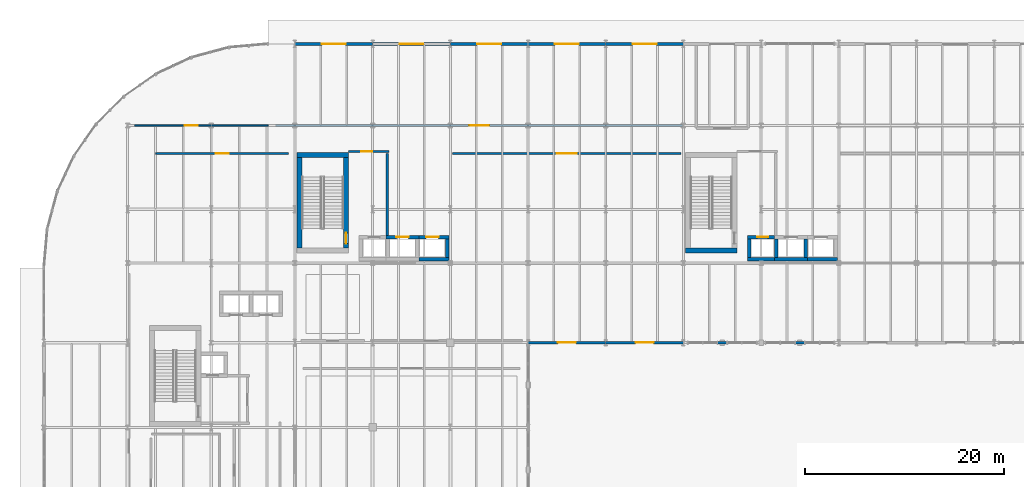
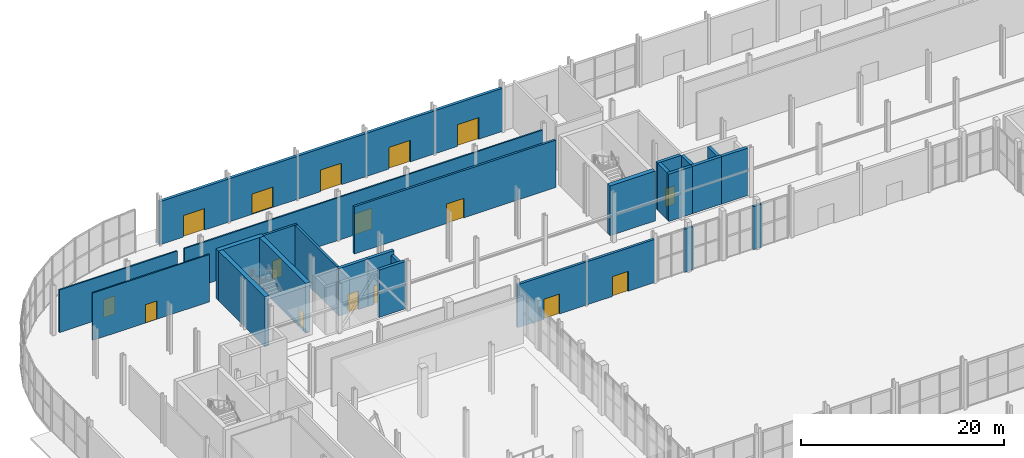
# One storey, part 59 of 84: 30 walls, 16 doors, 16 openings.
"""IFC4 building model written with IfcOpenShell, lengths in metres."""

from ifc_helpers import new_model, si_unit, direction, frame, frame_2d, origin, place, context, subcontext, project, spatial, rectangle, extrude, material, layer, layer_set, type_object, element, fill, save


model = new_model("IFC4")

# Units and contexts
model_context = context("Model", 3, precision=1e-05, world=origin(), true_north=direction((0.0, 1.0)))
body_context = subcontext(model_context, "Body", "Model", "MODEL_VIEW")
ifc_project = project(units=[si_unit("LENGTHUNIT", "METRE"), si_unit("AREAUNIT", "SQUARE_METRE"), si_unit("VOLUMEUNIT", "CUBIC_METRE"), si_unit("PLANEANGLEUNIT", "RADIAN"), si_unit("MASSUNIT", "GRAM", prefix="KILO")], contexts=[model_context])

# Site, building, storey
site_placement = place(None, origin())
site = spatial("IfcSite", under=ifc_project, at=site_placement, CompositionType="ELEMENT")
building_placement = place(site_placement, origin())
building = spatial("IfcBuilding", under=site, at=building_placement, Name="Sefraquen Railside Congress Hotel", CompositionType="ELEMENT")
storey_placement = place(building_placement, origin())
storey = spatial("IfcBuildingStorey", under=building, at=storey_placement, Name="L00", CompositionType="ELEMENT", Elevation=0.0)

# Wall, opening, door
ifc_material_1 = material(Name="Concrete C50/60", Category="concrete")
ifc_layer_1 = layer(ifc_material_1, 0.35009765625)
ifc_layer_set_1 = layer_set([ifc_layer_1], Name="Concrete C50/60")
wall_type_1 = type_object("IfcWallType", Name="TW-CW-350", PredefinedType="SHEAR", material=ifc_layer_set_1)
wall_1_placement = place(storey_placement, frame((70.639892578125, 98.594970703125, 0.0), z_axis=(0.0, 0.0, 1.0), x_axis=(1.0, 0.0, 0.0)))
wall_1 = element("IfcWall", 1, at=wall_1_placement, inside=storey, type_object=wall_type_1, Name="Lift FL-03 shaft wall N L00", PredefinedType="SHEAR", context=body_context, shape_type="SweptSolid", body=[
    extrude(rectangle(XDim=2.690185546875, YDim=0.35009765625, at=frame_2d((1.34521484375, 0.0))), origin(), (0.0, 0.0, 1.0), 5.699951171875),
])
opening_1_placement = place(wall_1_placement, frame((0.969970703125, 0.0, 0.0)))
opening_1 = element("IfcOpeningElement", 2, at=opening_1_placement, cuts=wall_1, Name="Opening LD-01", PredefinedType="OPENING", context=body_context, shape_type="SweptSolid", body=[
    extrude(rectangle(XDim=1.10009765625, YDim=2.199951171875, at=frame_2d((0.550048828125, 1.10009765625))), frame((0.0, 0.18505859375, 0.0), z_axis=(0.0, -1.0, 0.0), x_axis=(1.0, 0.0, 0.0)), (0.0, 0.0, 1.0), 0.3701171875),
])
ifc_material_2 = material(Name="Brushed bronze stainless steel", Category="steel")
door_type_1 = type_object("IfcDoorType", Name="TD-LD-01", OperationType="NOTDEFINED", PredefinedType="DOOR", material=ifc_material_2)
door_1_placement = place(opening_1_placement, origin())
door_1 = element("IfcDoor", 3, at=door_1_placement, inside=storey, type_object=door_type_1, Name="Lift landing door FL-03 L00", OperationType="SLIDING_TO_LEFT", OverallHeight=2.199951171875, OverallWidth=1.10009765625, PredefinedType="DOOR", context=body_context, shape_type="SweptSolid", body=[
    extrude(rectangle(XDim=1.10009765625, YDim=2.199951171875, at=frame_2d((0.550048828125, 1.10009765625))), frame((0.0, 0.02490234375, 0.0), z_axis=(0.0, -1.0, 0.0), x_axis=(1.0, 0.0, 0.0)), (0.0, 0.0, 1.0), 0.050048828125),
])
fill(opening_1, door_1)

# Walls
wall_2_placement = place(storey_placement, frame((70.639892578125, 96.405029296875, 0.0), z_axis=(0.0, 0.0, 1.0), x_axis=(1.0, 0.0, 0.0)))
element("IfcWall", 4, at=wall_2_placement, inside=storey, type_object=wall_type_1, Name="Lift FL-03 shaft wall S L00", PredefinedType="SHEAR", context=body_context, shape_type="SweptSolid", body=[
    extrude(rectangle(XDim=2.690185546875, YDim=0.35009765625, at=frame_2d((1.34521484375, 0.0))), origin(), (0.0, 0.0, 1.0), 5.699951171875),
])
wall_3_placement = place(storey_placement, frame((70.81494140625, 96.580078125, 0.0), z_axis=(0.0, 0.0, 1.0), x_axis=(0.0, 1.0, 0.0)))
element("IfcWall", 5, at=wall_3_placement, inside=storey, type_object=wall_type_1, Name="Lift FL-03 shaft wall W L00", PredefinedType="SHEAR", context=body_context, shape_type="SweptSolid", body=[
    extrude(rectangle(XDim=1.83984375, YDim=0.35009765625, at=frame_2d((0.919921875, 0.0))), origin(), (0.0, 0.0, 1.0), 5.699951171875),
])

# Wall, opening, door
wall_4_placement = place(storey_placement, frame((34.330078125, 98.594970703125, 0.0), z_axis=(0.0, 0.0, 1.0), x_axis=(1.0, 0.0, 0.0)))
wall_4 = element("IfcWall", 6, at=wall_4_placement, inside=storey, type_object=wall_type_1, Name="Lift PL-03 shaft wall N L00", PredefinedType="SHEAR", context=body_context, shape_type="SweptSolid", body=[
    extrude(rectangle(XDim=3.33984375, YDim=0.35009765625, at=frame_2d((1.669921875, 0.0))), origin(), (0.0, 0.0, 1.0), 5.699951171875),
])
opening_2_placement = place(wall_4_placement, frame((1.044921875, 0.0, 0.0)))
opening_2 = element("IfcOpeningElement", 7, at=opening_2_placement, cuts=wall_4, Name="Opening LD-02", PredefinedType="OPENING", context=body_context, shape_type="SweptSolid", body=[
    extrude(rectangle(XDim=1.25, YDim=2.25, at=frame_2d((0.625, 1.125))), frame((0.0, 0.18505859375, 0.0), z_axis=(0.0, -1.0, 0.0), x_axis=(1.0, 0.0, 0.0)), (0.0, 0.0, 1.0), 0.3701171875),
])
ifc_material_3 = material(Name="Brushed stainless steel", Category="steel")
door_type_2 = type_object("IfcDoorType", Name="TD-LD-02", OperationType="NOTDEFINED", PredefinedType="DOOR", material=ifc_material_3)
door_2_placement = place(opening_2_placement, origin())
door_2 = element("IfcDoor", 8, at=door_2_placement, inside=storey, type_object=door_type_2, Name="Lift landing door PL-03 L00", OperationType="SLIDING_TO_LEFT", OverallHeight=2.25, OverallWidth=1.25, PredefinedType="DOOR", context=body_context, shape_type="SweptSolid", body=[
    extrude(rectangle(XDim=1.25, YDim=2.25, at=frame_2d((0.625, 1.125))), frame((0.0, 0.02490234375, 0.0), z_axis=(0.0, -1.0, 0.0), x_axis=(1.0, 0.0, 0.0)), (0.0, 0.0, 1.0), 0.050048828125),
])
fill(opening_2, door_2)

wall_5_placement = place(storey_placement, frame((37.669921875, 98.594970703125, 0.0), z_axis=(0.0, 0.0, 1.0), x_axis=(1.0, 0.0, 0.0)))
wall_5 = element("IfcWall", 9, at=wall_5_placement, inside=storey, type_object=wall_type_1, Name="Lift PL-04 shaft wall N L00", PredefinedType="SHEAR", context=body_context, shape_type="SweptSolid", body=[
    extrude(rectangle(XDim=2.989990234375, YDim=0.35009765625, at=frame_2d((1.4951171875, 0.0))), origin(), (0.0, 0.0, 1.0), 5.699951171875),
])
opening_3_placement = place(wall_5_placement, frame((0.695068359375, 0.0, 0.0)))
opening_3 = element("IfcOpeningElement", 10, at=opening_3_placement, cuts=wall_5, Name="Opening LD-02", PredefinedType="OPENING", context=body_context, shape_type="SweptSolid", body=[
    extrude(rectangle(XDim=1.25, YDim=2.25, at=frame_2d((0.625, 1.125))), frame((0.0, 0.18505859375, 0.0), z_axis=(0.0, -1.0, 0.0), x_axis=(1.0, 0.0, 0.0)), (0.0, 0.0, 1.0), 0.3701171875),
])
door_3_placement = place(opening_3_placement, origin())
door_3 = element("IfcDoor", 11, at=door_3_placement, inside=storey, type_object=door_type_2, Name="Lift landing door PL-04 L00", OperationType="SLIDING_TO_LEFT", OverallHeight=2.25, OverallWidth=1.25, PredefinedType="DOOR", context=body_context, shape_type="SweptSolid", body=[
    extrude(rectangle(XDim=1.25, YDim=2.25, at=frame_2d((0.625, 1.125))), frame((0.0, 0.02490234375, 0.0), z_axis=(0.0, -1.0, 0.0), x_axis=(1.0, 0.0, 0.0)), (0.0, 0.0, 1.0), 0.050048828125),
])
fill(opening_3, door_3)

# Walls
wall_6_placement = place(storey_placement, frame((37.669921875, 96.405029296875, 0.0), z_axis=(0.0, 0.0, 1.0), x_axis=(1.0, 0.0, 0.0)))
element("IfcWall", 12, at=wall_6_placement, inside=storey, type_object=wall_type_1, Name="Lift PL-04 shaft wall S L00", PredefinedType="SHEAR", context=body_context, shape_type="SweptSolid", body=[
    extrude(rectangle(XDim=2.989990234375, YDim=0.35009765625, at=frame_2d((1.4951171875, 0.0))), origin(), (0.0, 0.0, 1.0), 5.699951171875),
])
wall_7_placement = place(storey_placement, frame((40.485107421875, 96.580078125, 0.0), z_axis=(0.0, 0.0, 1.0), x_axis=(0.0, 1.0, 0.0)))
element("IfcWall", 13, at=wall_7_placement, inside=storey, type_object=wall_type_1, Name="Lift PL-04 shaft wall E L00", PredefinedType="SHEAR", context=body_context, shape_type="SweptSolid", body=[
    extrude(rectangle(XDim=1.83984375, YDim=0.35009765625, at=frame_2d((0.919921875, 0.0))), origin(), (0.0, 0.0, 1.0), 5.239990234375),
])
wall_8_placement = place(storey_placement, frame((73.330078125, 96.405029296875, 0.0), z_axis=(0.0, 0.0, 1.0), x_axis=(1.0, 0.0, 0.0)))
element("IfcWall", 14, at=wall_8_placement, inside=storey, type_object=wall_type_1, Name="Lift PL-05 shaft wall S L00", PredefinedType="SHEAR", context=body_context, shape_type="SweptSolid", body=[
    extrude(rectangle(XDim=3.33984375, YDim=0.35009765625, at=frame_2d((1.669921875, 0.0))), origin(), (0.0, 0.0, 1.0), 5.699951171875),
])
for number, where, z_axis, x_axis, name in (
    (15, (73.5048828125, 96.580078125, 0.0), (0.0, 0.0, 1.0), (0.0, 1.0, 0.0), "Lift PL-05 shaft wall W L00"),
    (16, (76.4951171875, 96.580078125, 0.0), (0.0, 0.0, 1.0), (0.0, 1.0, 0.0), "Lift PL-05 shaft wall E L00"),
):
    element("IfcWall", number, at=place(storey_placement, frame(where, z_axis=z_axis, x_axis=x_axis)), inside=storey, type_object=wall_type_1, Name=name, PredefinedType="SHEAR", context=body_context, shape_type="SweptSolid", body=[
        extrude(rectangle(XDim=1.83984375, YDim=0.35009765625, at=frame_2d((0.919921875, 0.0))), origin(), (0.0, 0.0, 1.0), 5.699951171875),
    ])
wall_9_placement = place(storey_placement, frame((76.669921875, 96.405029296875, 0.0), z_axis=(0.0, 0.0, 1.0), x_axis=(1.0, 0.0, 0.0)))
element("IfcWall", 17, at=wall_9_placement, inside=storey, type_object=wall_type_1, Name="Lift PL-06 shaft wall S L00", PredefinedType="SHEAR", context=body_context, shape_type="SweptSolid", body=[
    extrude(rectangle(XDim=2.989990234375, YDim=0.35009765625, at=frame_2d((1.4951171875, 0.0))), origin(), (0.0, 0.0, 1.0), 5.699951171875),
])
ifc_layer_2 = layer(ifc_material_1, 0.5)
ifc_layer_set_2 = layer_set([ifc_layer_2], Name="Concrete C50/60")
wall_type_2 = type_object("IfcWallType", Name="TW-CW-500", PredefinedType="SHEAR", material=ifc_layer_set_2)
wall_10_placement = place(storey_placement, frame((25.39990234375, 106.862060546875, 0.0), z_axis=(0.0, 0.0, 1.0), x_axis=(1.0, 0.0, 0.0)))
element("IfcWall", 18, at=wall_10_placement, inside=storey, type_object=wall_type_2, Name="Core shear wall ST-H02 N L00", PredefinedType="SHEAR", context=body_context, shape_type="SweptSolid", body=[
    extrude(rectangle(XDim=5.16015625, YDim=0.5, at=frame_2d((2.580078125, 0.0))), origin(), (0.0, 0.0, 1.0), 6.0),
])
wall_11_placement = place(storey_placement, frame((25.64990234375, 97.5, 0.0), z_axis=(0.0, 0.0, 1.0), x_axis=(0.0, 1.0, 0.0)))
element("IfcWall", 19, at=wall_11_placement, inside=storey, type_object=wall_type_2, Name="Core shear wall ST-H02 W L00", PredefinedType="SHEAR", context=body_context, shape_type="SweptSolid", body=[
    extrude(rectangle(XDim=9.112060546875, YDim=0.5, at=frame_2d((4.55615234375, 0.0))), origin(), (0.0, 0.0, 1.0), 6.0),
])

# Wall, opening, door
wall_12_placement = place(storey_placement, frame((30.31005859375, 97.5, 0.0), z_axis=(0.0, 0.0, 1.0), x_axis=(0.0, 1.0, 0.0)))
wall_12 = element("IfcWall", 20, at=wall_12_placement, inside=storey, type_object=wall_type_2, Name="Core shear wall ST-H02 E L00", PredefinedType="SHEAR", context=body_context, shape_type="SweptSolid", body=[
    extrude(rectangle(XDim=9.112060546875, YDim=0.5, at=frame_2d((4.55615234375, 0.0))), origin(), (0.0, 0.0, 1.0), 6.0),
])
opening_4_placement = place(wall_12_placement, frame((0.43994140625, 0.0, 0.0)))
opening_4 = element("IfcOpeningElement", 21, at=opening_4_placement, cuts=wall_12, Name="Opening FD-04", PredefinedType="OPENING", context=body_context, shape_type="SweptSolid", body=[
    extrude(rectangle(XDim=1.10009765625, YDim=2.199951171875, at=frame_2d((0.550048828125, 1.10009765625))), frame((0.0, 0.260009765625, 0.0), z_axis=(0.0, -1.0, 0.0), x_axis=(1.0, 0.0, 0.0)), (0.0, 0.0, 1.0), 0.52001953125),
])
ifc_material_4 = material(Name="Fire-rated steel", Category="steel")
door_type_3 = type_object("IfcDoorType", Name="TD-FD-04", OperationType="NOTDEFINED", PredefinedType="DOOR", material=ifc_material_4)
door_4_placement = place(opening_4_placement, origin())
door_4 = element("IfcDoor", 22, at=door_4_placement, inside=storey, type_object=door_type_3, Name="Pressurized stair ST-H02 fire door L00", OperationType="SINGLE_SWING_RIGHT", OverallHeight=2.199951171875, OverallWidth=1.10009765625, PredefinedType="DOOR", context=body_context, shape_type="SweptSolid", body=[
    extrude(rectangle(XDim=1.10009765625, YDim=2.199951171875, at=frame_2d((0.550048828125, 1.10009765625))), frame((0.0, 0.02490234375, 0.0), z_axis=(0.0, -1.0, 0.0), x_axis=(1.0, 0.0, 0.0)), (0.0, 0.0, 1.0), 0.050048828125),
])
fill(opening_4, door_4)

# Wall
wall_13_placement = place(storey_placement, frame((64.39990234375, 97.25, 0.0), z_axis=(0.0, 0.0, 1.0), x_axis=(1.0, 0.0, 0.0)))
element("IfcWall", 23, at=wall_13_placement, inside=storey, type_object=wall_type_2, Name="Core shear wall ST-H03 S L00", PredefinedType="SHEAR", context=body_context, shape_type="SweptSolid", body=[
    extrude(rectangle(XDim=5.16015625, YDim=0.5, at=frame_2d((2.580078125, 0.0))), origin(), (0.0, 0.0, 1.0), 6.0),
])

# Wall, opening, door
ifc_material_5 = material(Name="Ochre Rabat calcarenite limestone and Concrete C40/50 backing", Category="masonry")
ifc_layer_3 = layer(ifc_material_5, 0.280029296875)
ifc_layer_set_3 = layer_set([ifc_layer_3], Name="Ochre Rabat calcarenite limestone and Concrete C40/50 backing")
wall_type_3 = type_object("IfcWallType", Name="TW-EW-280", PredefinedType="STANDARD", material=ifc_layer_set_3)
wall_14_placement = place(storey_placement, frame((48.60009765625, 88.0, 0.0), z_axis=(0.0, 0.0, 1.0), x_axis=(1.0, 0.0, 0.0)))
wall_14 = element("IfcWall", 24, at=wall_14_placement, inside=storey, type_object=wall_type_3, Name="Courtyard north portal wall 48", PredefinedType="STANDARD", context=body_context, shape_type="SweptSolid", body=[
    extrude(rectangle(XDim=7.7998046875, YDim=0.280029296875, at=frame_2d((3.89990234375, 0.0))), origin(), (0.0, 0.0, 1.0), 5.18994140625),
])
opening_5_placement = place(wall_14_placement, frame((3.0, 0.0, 0.0)))
opening_5 = element("IfcOpeningElement", 25, at=opening_5_placement, cuts=wall_14, Name="Opening ED-07", PredefinedType="OPENING", context=body_context, shape_type="SweptSolid", body=[
    extrude(rectangle(XDim=1.800048828125, YDim=2.39990234375, at=frame_2d((0.89990234375, 1.199951171875))), frame((0.0, 0.14990234375, 0.0), z_axis=(0.0, -1.0, 0.0), x_axis=(1.0, 0.0, 0.0)), (0.0, 0.0, 1.0), 0.300048828125),
])
ifc_material_6 = material(Name="Bronze and low-E fire-rated glass", Category="glass")
door_type_4 = type_object("IfcDoorType", Name="TD-ED-07", OperationType="NOTDEFINED", PredefinedType="DOOR", material=ifc_material_6)
door_5_placement = place(opening_5_placement, frame((1.800048828125, 0.0, 0.0), z_axis=(0.0, 0.0, 1.0), x_axis=(-1.0, 0.0, 0.0)))
door_5 = element("IfcDoor", 26, at=door_5_placement, inside=storey, type_object=door_type_4, Name="Courtyard garden exit door 18", OperationType="DOUBLE_SWING_LEFT", OverallHeight=2.39990234375, OverallWidth=1.800048828125, PredefinedType="DOOR", context=body_context, shape_type="SweptSolid", body=[
    extrude(rectangle(XDim=1.800048828125, YDim=2.39990234375, at=frame_2d((0.89990234375, 1.199951171875))), frame((0.0, 0.02490234375, 0.0), z_axis=(0.0, -1.0, 0.0), x_axis=(1.0, 0.0, 0.0)), (0.0, 0.0, 1.0), 0.050048828125),
])
fill(opening_5, door_5)

wall_15_placement = place(storey_placement, frame((56.39990234375, 88.0, 0.0), z_axis=(0.0, 0.0, 1.0), x_axis=(1.0, 0.0, 0.0)))
wall_15 = element("IfcWall", 27, at=wall_15_placement, inside=storey, type_object=wall_type_3, Name="Courtyard north portal wall 56", PredefinedType="STANDARD", context=body_context, shape_type="SweptSolid", body=[
    extrude(rectangle(XDim=7.800048828125, YDim=0.280029296875, at=frame_2d((3.89990234375, 0.0))), origin(), (0.0, 0.0, 1.0), 5.18994140625),
])
opening_6_placement = place(wall_15_placement, frame((3.0, 0.0, 0.0)))
opening_6 = element("IfcOpeningElement", 28, at=opening_6_placement, cuts=wall_15, Name="Opening ED-07", PredefinedType="OPENING", context=body_context, shape_type="SweptSolid", body=[
    extrude(rectangle(XDim=1.800048828125, YDim=2.39990234375, at=frame_2d((0.89990234375, 1.199951171875))), frame((0.0, 0.14990234375, 0.0), z_axis=(0.0, -1.0, 0.0), x_axis=(1.0, 0.0, 0.0)), (0.0, 0.0, 1.0), 0.300048828125),
])
door_6_placement = place(opening_6_placement, frame((1.800048828125, 0.0, 0.0), z_axis=(0.0, 0.0, 1.0), x_axis=(-1.0, 0.0, 0.0)))
door_6 = element("IfcDoor", 29, at=door_6_placement, inside=storey, type_object=door_type_4, Name="Courtyard garden exit door 19", OperationType="DOUBLE_SWING_LEFT", OverallHeight=2.39990234375, OverallWidth=1.800048828125, PredefinedType="DOOR", context=body_context, shape_type="SweptSolid", body=[
    extrude(rectangle(XDim=1.800048828125, YDim=2.39990234375, at=frame_2d((0.89990234375, 1.199951171875))), frame((0.0, 0.02490234375, 0.0), z_axis=(0.0, -1.0, 0.0), x_axis=(1.0, 0.0, 0.0)), (0.0, 0.0, 1.0), 0.050048828125),
])
fill(opening_6, door_6)

# Walls
for number, where, z_axis, x_axis, name in (
    (30, (67.6201171875, 88.0, 0.0), (0.0, 0.0, 1.0), (1.0, 0.0, 0.0), "Courtyard north arcade curtain wall UCW-12 column pier closure 1"),
    (31, (75.419921875, 88.0, 0.0), (0.0, 0.0, 1.0), (1.0, 0.0, 0.0), "Courtyard north arcade curtain wall UCW-13 column pier closure 1"),
):
    element("IfcWall", number, at=place(storey_placement, frame(where, z_axis=z_axis, x_axis=x_axis)), inside=storey, type_object=wall_type_3, Name=name, PredefinedType="STANDARD", context=body_context, shape_type="SweptSolid", body=[
        extrude(rectangle(XDim=0.9599609375, YDim=0.260009765625, at=frame_2d((0.47998046875, 0.0))), origin(), (0.0, 0.0, 1.0), 5.18994140625),
    ])

# Wall, opening, door
ifc_layer_4 = layer(ifc_material_5, 0.320068359375)
ifc_layer_set_4 = layer_set([ifc_layer_4], Name="Ochre Rabat calcarenite limestone and Concrete C40/50 backing")
wall_type_4 = type_object("IfcWallType", Name="TW-EW-320", PredefinedType="STANDARD", material=ifc_layer_set_4)
wall_16_placement = place(storey_placement, frame((25.199951171875, 118.0, 0.0), z_axis=(0.0, 0.0, 1.0), x_axis=(1.0, 0.0, 0.0)))
wall_16 = element("IfcWall", 32, at=wall_16_placement, inside=storey, type_object=wall_type_4, Name="Hotel Boulevard entrance portal wall 1", PredefinedType="STANDARD", context=body_context, shape_type="SweptSolid", body=[
    extrude(rectangle(XDim=7.800048828125, YDim=0.320068359375, at=frame_2d((3.89990234375, 0.0))), origin(), (0.0, 0.0, 1.0), 5.18994140625),
])
opening_7_placement = place(wall_16_placement, frame((2.699951171875, 0.0, 0.0)))
opening_7 = element("IfcOpeningElement", 33, at=opening_7_placement, cuts=wall_16, Name="Opening ED-01", PredefinedType="OPENING", context=body_context, shape_type="SweptSolid", body=[
    extrude(rectangle(XDim=2.39990234375, YDim=2.60009765625, at=frame_2d((1.199951171875, 1.300048828125))), frame((0.0, 0.169921875, 0.0), z_axis=(0.0, -1.0, 0.0), x_axis=(1.0, 0.0, 0.0)), (0.0, 0.0, 1.0), 0.340087890625),
])
ifc_material_7 = material(Name="Bronze and fire-rated laminated glass", Category="glass")
door_type_5 = type_object("IfcDoorType", Name="TD-ED-01", OperationType="NOTDEFINED", PredefinedType="DOOR", material=ifc_material_7)
door_7_placement = place(opening_7_placement, origin())
door_7 = element("IfcDoor", 34, at=door_7_placement, inside=storey, type_object=door_type_5, Name="Hotel North Boulevard grand entrance 22", OperationType="DOUBLE_SWING_LEFT", OverallHeight=2.60009765625, OverallWidth=2.39990234375, PredefinedType="DOOR", context=body_context, shape_type="SweptSolid", body=[
    extrude(rectangle(XDim=2.39990234375, YDim=2.60009765625, at=frame_2d((1.199951171875, 1.300048828125))), frame((0.0, 0.02490234375, 0.0), z_axis=(0.0, -1.0, 0.0), x_axis=(1.0, 0.0, 0.0)), (0.0, 0.0, 1.0), 0.050048828125),
])
fill(opening_7, door_7)

wall_17_placement = place(storey_placement, frame((33.0, 118.0, 0.0), z_axis=(0.0, 0.0, 1.0), x_axis=(1.0, 0.0, 0.0)))
wall_17 = element("IfcWall", 35, at=wall_17_placement, inside=storey, type_object=wall_type_4, Name="Hotel Boulevard entrance portal wall 2", PredefinedType="STANDARD", context=body_context, shape_type="SweptSolid", body=[
    extrude(rectangle(XDim=7.800048828125, YDim=0.320068359375, at=frame_2d((3.89990234375, 0.0))), origin(), (0.0, 0.0, 1.0), 5.18994140625),
])
opening_8_placement = place(wall_17_placement, frame((2.699951171875, 0.0, 0.0)))
opening_8 = element("IfcOpeningElement", 36, at=opening_8_placement, cuts=wall_17, Name="Opening ED-02", PredefinedType="OPENING", context=body_context, shape_type="SweptSolid", body=[
    extrude(rectangle(XDim=2.39990234375, YDim=2.449951171875, at=frame_2d((1.199951171875, 1.22509765625))), frame((0.0, 0.169921875, 0.0), z_axis=(0.0, -1.0, 0.0), x_axis=(1.0, 0.0, 0.0)), (0.0, 0.0, 1.0), 0.340087890625),
])
door_type_6 = type_object("IfcDoorType", Name="TD-ED-02", OperationType="NOTDEFINED", PredefinedType="DOOR", material=ifc_material_7)
door_8_placement = place(opening_8_placement, origin())
door_8 = element("IfcDoor", 37, at=door_8_placement, inside=storey, type_object=door_type_6, Name="Hotel North Boulevard grand entrance 23", OperationType="DOUBLE_SWING_LEFT", OverallHeight=2.449951171875, OverallWidth=2.39990234375, PredefinedType="DOOR", context=body_context, shape_type="SweptSolid", body=[
    extrude(rectangle(XDim=2.39990234375, YDim=2.449951171875, at=frame_2d((1.199951171875, 1.22509765625))), frame((0.0, 0.02490234375, 0.0), z_axis=(0.0, -1.0, 0.0), x_axis=(1.0, 0.0, 0.0)), (0.0, 0.0, 1.0), 0.050048828125),
])
fill(opening_8, door_8)

wall_18_placement = place(storey_placement, frame((40.800048828125, 118.0, 0.0), z_axis=(0.0, 0.0, 1.0), x_axis=(1.0, 0.0, 0.0)))
wall_18 = element("IfcWall", 38, at=wall_18_placement, inside=storey, type_object=wall_type_4, Name="Hotel Boulevard entrance portal wall 3", PredefinedType="STANDARD", context=body_context, shape_type="SweptSolid", body=[
    extrude(rectangle(XDim=7.800048828125, YDim=0.320068359375, at=frame_2d((3.89990234375, 0.0))), origin(), (0.0, 0.0, 1.0), 5.18994140625),
])
opening_9_placement = place(wall_18_placement, frame((2.699951171875, 0.0, 0.0)))
opening_9 = element("IfcOpeningElement", 39, at=opening_9_placement, cuts=wall_18, Name="Opening ED-01", PredefinedType="OPENING", context=body_context, shape_type="SweptSolid", body=[
    extrude(rectangle(XDim=2.39990234375, YDim=2.60009765625, at=frame_2d((1.199951171875, 1.300048828125))), frame((0.0, 0.169921875, 0.0), z_axis=(0.0, -1.0, 0.0), x_axis=(1.0, 0.0, 0.0)), (0.0, 0.0, 1.0), 0.340087890625),
])
door_9_placement = place(opening_9_placement, origin())
door_9 = element("IfcDoor", 40, at=door_9_placement, inside=storey, type_object=door_type_5, Name="Hotel North Boulevard grand entrance 24", OperationType="DOUBLE_SWING_LEFT", OverallHeight=2.60009765625, OverallWidth=2.39990234375, PredefinedType="DOOR", context=body_context, shape_type="SweptSolid", body=[
    extrude(rectangle(XDim=2.39990234375, YDim=2.60009765625, at=frame_2d((1.199951171875, 1.300048828125))), frame((0.0, 0.02490234375, 0.0), z_axis=(0.0, -1.0, 0.0), x_axis=(1.0, 0.0, 0.0)), (0.0, 0.0, 1.0), 0.050048828125),
])
fill(opening_9, door_9)

wall_19_placement = place(storey_placement, frame((48.60009765625, 118.0, 0.0), z_axis=(0.0, 0.0, 1.0), x_axis=(1.0, 0.0, 0.0)))
wall_19 = element("IfcWall", 41, at=wall_19_placement, inside=storey, type_object=wall_type_4, Name="Hotel Boulevard entrance portal wall 4", PredefinedType="STANDARD", context=body_context, shape_type="SweptSolid", body=[
    extrude(rectangle(XDim=7.7998046875, YDim=0.320068359375, at=frame_2d((3.89990234375, 0.0))), origin(), (0.0, 0.0, 1.0), 5.18994140625),
])
opening_10_placement = place(wall_19_placement, frame((2.699951171875, 0.0, 0.0)))
opening_10 = element("IfcOpeningElement", 42, at=opening_10_placement, cuts=wall_19, Name="Opening ED-01", PredefinedType="OPENING", context=body_context, shape_type="SweptSolid", body=[
    extrude(rectangle(XDim=2.39990234375, YDim=2.60009765625, at=frame_2d((1.199951171875, 1.300048828125))), frame((0.0, 0.169921875, 0.0), z_axis=(0.0, -1.0, 0.0), x_axis=(1.0, 0.0, 0.0)), (0.0, 0.0, 1.0), 0.340087890625),
])
door_10_placement = place(opening_10_placement, origin())
door_10 = element("IfcDoor", 43, at=door_10_placement, inside=storey, type_object=door_type_5, Name="Hotel North Boulevard grand entrance 25", OperationType="DOUBLE_SWING_LEFT", OverallHeight=2.60009765625, OverallWidth=2.39990234375, PredefinedType="DOOR", context=body_context, shape_type="SweptSolid", body=[
    extrude(rectangle(XDim=2.39990234375, YDim=2.60009765625, at=frame_2d((1.199951171875, 1.300048828125))), frame((0.0, 0.02490234375, 0.0), z_axis=(0.0, -1.0, 0.0), x_axis=(1.0, 0.0, 0.0)), (0.0, 0.0, 1.0), 0.050048828125),
])
fill(opening_10, door_10)

wall_20_placement = place(storey_placement, frame((56.39990234375, 118.0, 0.0), z_axis=(0.0, 0.0, 1.0), x_axis=(1.0, 0.0, 0.0)))
wall_20 = element("IfcWall", 44, at=wall_20_placement, inside=storey, type_object=wall_type_4, Name="Hotel Boulevard entrance portal wall 5", PredefinedType="STANDARD", context=body_context, shape_type="SweptSolid", body=[
    extrude(rectangle(XDim=7.800048828125, YDim=0.320068359375, at=frame_2d((3.89990234375, 0.0))), origin(), (0.0, 0.0, 1.0), 5.18994140625),
])
opening_11_placement = place(wall_20_placement, frame((2.699951171875, 0.0, 0.0)))
opening_11 = element("IfcOpeningElement", 45, at=opening_11_placement, cuts=wall_20, Name="Opening ED-01", PredefinedType="OPENING", context=body_context, shape_type="SweptSolid", body=[
    extrude(rectangle(XDim=2.39990234375, YDim=2.60009765625, at=frame_2d((1.199951171875, 1.300048828125))), frame((0.0, 0.169921875, 0.0), z_axis=(0.0, -1.0, 0.0), x_axis=(1.0, 0.0, 0.0)), (0.0, 0.0, 1.0), 0.340087890625),
])
door_11_placement = place(opening_11_placement, origin())
door_11 = element("IfcDoor", 46, at=door_11_placement, inside=storey, type_object=door_type_5, Name="Hotel North Boulevard grand entrance 26", OperationType="DOUBLE_SWING_LEFT", OverallHeight=2.60009765625, OverallWidth=2.39990234375, PredefinedType="DOOR", context=body_context, shape_type="SweptSolid", body=[
    extrude(rectangle(XDim=2.39990234375, YDim=2.60009765625, at=frame_2d((1.199951171875, 1.300048828125))), frame((0.0, 0.02490234375, 0.0), z_axis=(0.0, -1.0, 0.0), x_axis=(1.0, 0.0, 0.0)), (0.0, 0.0, 1.0), 0.050048828125),
])
fill(opening_11, door_11)

# Wall
ifc_material_8 = material(Name="Concrete C40/50", Category="concrete")
ifc_layer_5 = layer(ifc_material_8, 0.239990234375)
ifc_layer_set_5 = layer_set([ifc_layer_5], Name="Concrete C40/50")
wall_type_5 = type_object("IfcWallType", Name="TW-FW-240", PredefinedType="STANDARD", material=ifc_layer_set_5)
wall_21_placement = place(storey_placement, frame((34.47998046875, 98.780029296875, 0.0), z_axis=(0.0, 0.0, 1.0), x_axis=(0.0, 1.0, 0.0)))
element("IfcWall", 47, at=wall_21_placement, inside=storey, type_object=wall_type_5, Name="Firefighting Lift Lobby FFL-02 east fire wall L00", PredefinedType="STANDARD", context=body_context, shape_type="SweptSolid", body=[
    extrude(rectangle(XDim=8.239990234375, YDim=0.239990234375, at=frame_2d((4.1201171875, 0.0))), origin(), (0.0, 0.0, 1.0), 5.699951171875),
])

# Wall, opening, door
wall_22_placement = place(storey_placement, frame((30.56005859375, 107.199951171875, 0.0), z_axis=(0.0, 0.0, 1.0), x_axis=(1.0, 0.0, 0.0)))
wall_22 = element("IfcWall", 48, at=wall_22_placement, inside=storey, type_object=wall_type_5, Name="Firefighting Lift Lobby FFL-02 EI 120 separation wall L00", PredefinedType="STANDARD", context=body_context, shape_type="SweptSolid", body=[
    extrude(rectangle(XDim=4.099853515625, YDim=0.239990234375, at=frame_2d((2.0498046875, 0.0))), origin(), (0.0, 0.0, 1.0), 5.699951171875),
])
opening_12_placement = place(wall_22_placement, frame((1.300048828125, 0.0, 0.0)))
opening_12 = element("IfcOpeningElement", 49, at=opening_12_placement, cuts=wall_22, Name="Opening FD-04", PredefinedType="OPENING", context=body_context, shape_type="SweptSolid", body=[
    extrude(rectangle(XDim=1.10009765625, YDim=2.199951171875, at=frame_2d((0.550048828125, 1.10009765625))), frame((0.0, 0.1298828125, 0.0), z_axis=(0.0, -1.0, 0.0), x_axis=(1.0, 0.0, 0.0)), (0.0, 0.0, 1.0), 0.260009765625),
])
door_12_placement = place(opening_12_placement, origin())
door_12 = element("IfcDoor", 50, at=door_12_placement, inside=storey, type_object=door_type_3, Name="Firefighting Lift Lobby FFL-02 self-closing fire door L00", OperationType="SINGLE_SWING_RIGHT", OverallHeight=2.199951171875, OverallWidth=1.10009765625, PredefinedType="DOOR", context=body_context, shape_type="SweptSolid", body=[
    extrude(rectangle(XDim=1.10009765625, YDim=2.199951171875, at=frame_2d((0.550048828125, 1.10009765625))), frame((0.0, 0.02490234375, 0.0), z_axis=(0.0, -1.0, 0.0), x_axis=(1.0, 0.0, 0.0)), (0.0, 0.0, 1.0), 0.050048828125),
])
fill(opening_12, door_12)

wall_23_placement = place(storey_placement, frame((41.0, 107.0, 0.0), z_axis=(0.0, 0.0, 1.0), x_axis=(1.0, 0.0, 0.0)))
wall_23 = element("IfcWall", 51, at=wall_23_placement, inside=storey, type_object=wall_type_5, Name="Brasserie Main Culinary Kitchen enclosure wall", PredefinedType="STANDARD", context=body_context, shape_type="SweptSolid", body=[
    extrude(rectangle(XDim=22.949951171875, YDim=0.239990234375, at=frame_2d((11.47509765625, 0.0))), origin(), (0.0, 0.0, 1.0), 5.699951171875),
])
opening_13_placement = place(wall_23_placement, frame((10.47509765625, 0.0, 0.0)))
opening_13 = element("IfcOpeningElement", 52, at=opening_13_placement, cuts=wall_23, Name="Opening AD-02", PredefinedType="OPENING", context=body_context, shape_type="SweptSolid", body=[
    extrude(rectangle(XDim=2.0, YDim=2.35009765625, at=frame_2d((1.0, 1.175048828125))), frame((0.0, 0.1298828125, 0.0), z_axis=(0.0, -1.0, 0.0), x_axis=(1.0, 0.0, 0.0)), (0.0, 0.0, 1.0), 0.260009765625),
])
ifc_material_9 = material(Name="Acoustic Atlas cedar timber", Category="wood")
door_type_7 = type_object("IfcDoorType", Name="TD-AD-02", OperationType="NOTDEFINED", PredefinedType="DOOR", material=ifc_material_9)
door_13_placement = place(opening_13_placement, origin())
door_13 = element("IfcDoor", 53, at=door_13_placement, inside=storey, type_object=door_type_7, Name="Brasserie Main Culinary Kitchen entrance door", OperationType="DOUBLE_SWING_LEFT", OverallHeight=2.35009765625, OverallWidth=2.0, PredefinedType="DOOR", context=body_context, shape_type="SweptSolid", body=[
    extrude(rectangle(XDim=2.0, YDim=2.35009765625, at=frame_2d((1.0, 1.175048828125))), frame((0.0, 0.02490234375, 0.0), z_axis=(0.0, -1.0, 0.0), x_axis=(1.0, 0.0, 0.0)), (0.0, 0.0, 1.0), 0.050048828125),
])
fill(opening_13, door_13)

ifc_material_10 = material(Name="Moisture-resistant gypsum board", Category="gypsum")
ifc_layer_6 = layer(ifc_material_10, 0.159912109375)
ifc_layer_set_6 = layer_set([ifc_layer_6], Name="Moisture-resistant gypsum board")
wall_type_6 = type_object("IfcWallType", Name="TW-PW-160", PredefinedType="PARTITIONING", material=ifc_layer_set_6)
wall_24_placement = place(storey_placement, frame((23.300048828125, 109.800048828125, 0.0), z_axis=(0.0, 0.0, 1.0), x_axis=(1.0, 0.0, 0.0)))
wall_24 = element("IfcWall", 54, at=wall_24_placement, inside=storey, type_object=wall_type_6, Name="Hotel Grand Boulevard Arrival Salon enclosure wall", PredefinedType="PARTITIONING", context=body_context, shape_type="SweptSolid", body=[
    extrude(rectangle(XDim=40.800048828125, YDim=0.159912109375, at=frame_2d((20.39990234375, 0.0))), origin(), (0.0, 0.0, 1.0), 5.139892578125),
])
opening_14_placement = place(wall_24_placement, frame((19.39990234375, 0.0, 0.0)))
opening_14 = element("IfcOpeningElement", 55, at=opening_14_placement, cuts=wall_24, Name="Opening AD-01", PredefinedType="OPENING", context=body_context, shape_type="SweptSolid", body=[
    extrude(rectangle(XDim=2.0, YDim=2.5, at=frame_2d((1.0, 1.25))), frame((0.0, 0.08984375, 0.0), z_axis=(0.0, -1.0, 0.0), x_axis=(1.0, 0.0, 0.0)), (0.0, 0.0, 1.0), 0.179931640625),
])
door_type_8 = type_object("IfcDoorType", Name="TD-AD-01", OperationType="NOTDEFINED", PredefinedType="DOOR", material=ifc_material_9)
door_14_placement = place(opening_14_placement, origin())
door_14 = element("IfcDoor", 56, at=door_14_placement, inside=storey, type_object=door_type_8, Name="Hotel Grand Boulevard Arrival Salon entrance door", OperationType="DOUBLE_SWING_RIGHT", OverallHeight=2.5, OverallWidth=2.0, PredefinedType="DOOR", context=body_context, shape_type="SweptSolid", body=[
    extrude(rectangle(XDim=2.0, YDim=2.5, at=frame_2d((1.0, 1.25))), frame((0.0, 0.02490234375, 0.0), z_axis=(0.0, -1.0, 0.0), x_axis=(1.0, 0.0, 0.0)), (0.0, 0.0, 1.0), 0.050048828125),
])
fill(opening_14, door_14)

wall_25_placement = place(storey_placement, frame((11.25, 107.0, 0.0), z_axis=(0.0, 0.0, 1.0), x_axis=(1.0, 0.0, 0.0)))
wall_25 = element("IfcWall", 57, at=wall_25_placement, inside=storey, type_object=wall_type_6, Name="Concierge and Luggage Reception enclosure wall", PredefinedType="PARTITIONING", context=body_context, shape_type="SweptSolid", body=[
    extrude(rectangle(XDim=13.300048828125, YDim=0.159912109375, at=frame_2d((6.64990234375, 0.0))), origin(), (0.0, 0.0, 1.0), 5.699951171875),
])
opening_15_placement = place(wall_25_placement, frame((6.0, 0.0, 0.0)))
opening_15 = element("IfcOpeningElement", 58, at=opening_15_placement, cuts=wall_25, Name="Opening MD-02", PredefinedType="OPENING", context=body_context, shape_type="SweptSolid", body=[
    extrude(rectangle(XDim=1.300048828125, YDim=2.199951171875, at=frame_2d((0.64990234375, 1.10009765625))), frame((0.0, 0.08984375, 0.0), z_axis=(0.0, -1.0, 0.0), x_axis=(1.0, 0.0, 0.0)), (0.0, 0.0, 1.0), 0.179931640625),
])
ifc_material_11 = material(Name="Acoustic cedar veneer", Category="wood")
door_type_9 = type_object("IfcDoorType", Name="TD-MD-02", OperationType="NOTDEFINED", PredefinedType="DOOR", material=ifc_material_11)
door_15_placement = place(opening_15_placement, origin())
door_15 = element("IfcDoor", 59, at=door_15_placement, inside=storey, type_object=door_type_9, Name="Concierge and Luggage Reception entrance door", OperationType="SINGLE_SWING_RIGHT", OverallHeight=2.199951171875, OverallWidth=1.300048828125, PredefinedType="DOOR", context=body_context, shape_type="SweptSolid", body=[
    extrude(rectangle(XDim=1.300048828125, YDim=2.199951171875, at=frame_2d((0.64990234375, 1.10009765625))), frame((0.0, 0.02490234375, 0.0), z_axis=(0.0, -1.0, 0.0), x_axis=(1.0, 0.0, 0.0)), (0.0, 0.0, 1.0), 0.050048828125),
])
fill(opening_15, door_15)

wall_26_placement = place(storey_placement, frame((9.10009765625, 109.800048828125, 0.0), z_axis=(0.0, 0.0, 1.0), x_axis=(1.0, 0.0, 0.0)))
wall_26 = element("IfcWall", 60, at=wall_26_placement, inside=storey, type_object=wall_type_6, Name="Rotunda Botanical Lounge Bar enclosure wall", PredefinedType="PARTITIONING", context=body_context, shape_type="SweptSolid", body=[
    extrude(rectangle(XDim=13.39990234375, YDim=0.159912109375, at=frame_2d((6.699951171875, 0.0))), origin(), (0.0, 0.0, 1.0), 5.139892578125),
])
opening_16_placement = place(wall_26_placement, frame((5.050048828125, 0.0, 0.0)))
opening_16 = element("IfcOpeningElement", 61, at=opening_16_placement, cuts=wall_26, Name="Opening MD-02", PredefinedType="OPENING", context=body_context, shape_type="SweptSolid", body=[
    extrude(rectangle(XDim=1.300048828125, YDim=2.199951171875, at=frame_2d((0.64990234375, 1.10009765625))), frame((0.0, 0.08984375, 0.0), z_axis=(0.0, -1.0, 0.0), x_axis=(1.0, 0.0, 0.0)), (0.0, 0.0, 1.0), 0.179931640625),
])
door_16_placement = place(opening_16_placement, origin())
door_16 = element("IfcDoor", 62, at=door_16_placement, inside=storey, type_object=door_type_9, Name="Rotunda Botanical Lounge Bar entrance door", OperationType="SINGLE_SWING_LEFT", OverallHeight=2.199951171875, OverallWidth=1.300048828125, PredefinedType="DOOR", context=body_context, shape_type="SweptSolid", body=[
    extrude(rectangle(XDim=1.300048828125, YDim=2.199951171875, at=frame_2d((0.64990234375, 1.10009765625))), frame((0.0, 0.02490234375, 0.0), z_axis=(0.0, -1.0, 0.0), x_axis=(1.0, 0.0, 0.0)), (0.0, 0.0, 1.0), 0.050048828125),
])
fill(opening_16, door_16)

save(model, "model.ifc")
